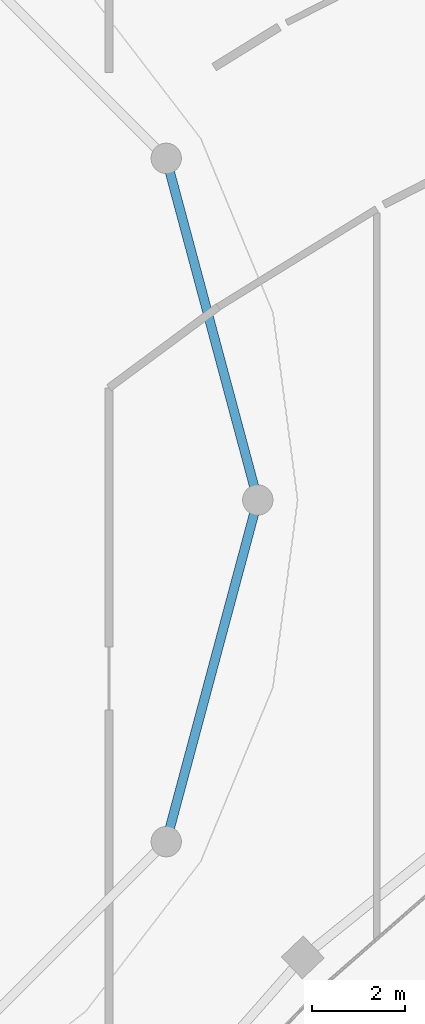
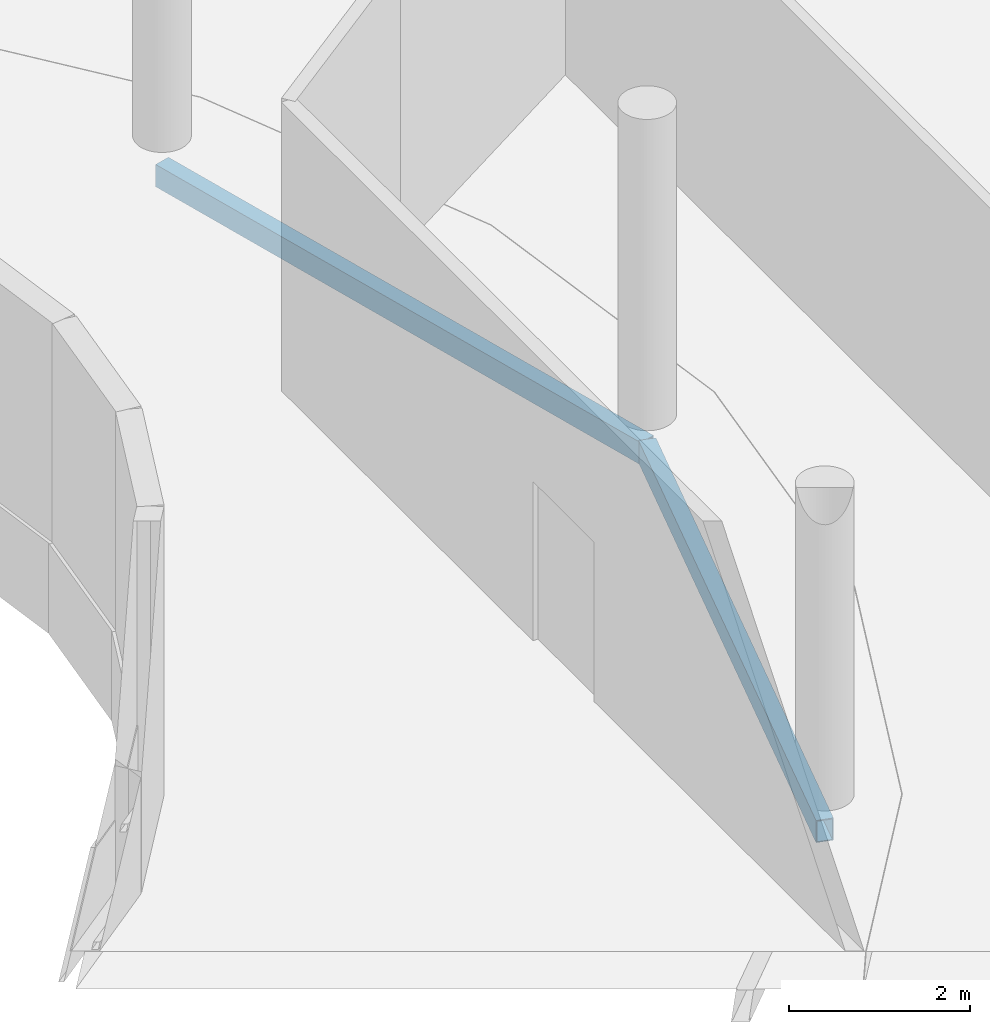
# One storey, part 66 of 184: 2 beams.
"""IFC4 building model written with IfcOpenShell, lengths in metres."""

from ifc_helpers import new_model, si_unit, direction, frame, origin, origin_2d, place, context, subcontext, project, spatial, hollow_rectangle, extrude, material, material_profile, profile_set, type_object, element, save


model = new_model("IFC4")

# Units and contexts
model_context = context("Model", 3, precision=1e-05, world=origin(), true_north=direction((0.0, 1.0)))
body_context = subcontext(model_context, "Body", "Model", "MODEL_VIEW")
ifc_project = project(units=[si_unit("LENGTHUNIT", "METRE"), si_unit("AREAUNIT", "SQUARE_METRE"), si_unit("VOLUMEUNIT", "CUBIC_METRE"), si_unit("PLANEANGLEUNIT", "RADIAN"), si_unit("MASSUNIT", "GRAM", prefix="KILO")], contexts=[model_context])

# Site, building, storey
site_placement = place(None, origin())
site = spatial("IfcSite", under=ifc_project, at=site_placement, CompositionType="ELEMENT")
building_placement = place(site_placement, origin())
building = spatial("IfcBuilding", under=site, at=building_placement, Name="Selatvlak General Hospital", CompositionType="ELEMENT")
storey_placement = place(building_placement, frame((0.0, 0.0, 15.0)))
storey = spatial("IfcBuildingStorey", under=building, at=storey_placement, Name="L03", CompositionType="ELEMENT", Elevation=15.0)

# Beams
ifc_material = material(Name="Steel S355", Category="steel")
ifc_material_profile = material_profile(ifc_material, hollow_rectangle(XDim=0.199951171875, YDim=0.300048828125, WallThickness=0.011962890625, at=origin_2d()), Name="RHS 300x200x12")
ifc_profile_set = profile_set([ifc_material_profile], Name="Steel S355")
beam_type = type_object("IfcBeamType", Name="BM-SP3", PredefinedType="SPANDREL", material=ifc_profile_set)
for number, where, z_axis, x_axis, name in (
    (1, (110.68701171875, 46.675048828125, -0.489990234375), (0.25884068345, 0.965920028052, 0.0), (-0.965920028052, 0.25884068345, 0.0), "Beam BMR-L03-1450"),
    (2, (112.64990234375, 54.0, -0.489990234375), (-0.25884068345, 0.965920028052, 0.0), (-0.965920028052, -0.25884068345, 0.0), "Beam BMR-L03-1451"),
):
    element("IfcBeam", number, at=place(storey_placement, frame(where, z_axis=z_axis, x_axis=x_axis)), inside=storey, type_object=beam_type, Name=name, PredefinedType="SPANDREL", context=body_context, shape_type="SweptSolid", body=[
        extrude(hollow_rectangle(XDim=0.199951171875, YDim=0.300048828125, WallThickness=0.011962890625, at=origin_2d()), origin(), (0.0, 0.0, 1.0), 7.58349609375),
    ])

save(model, "model.ifc")
